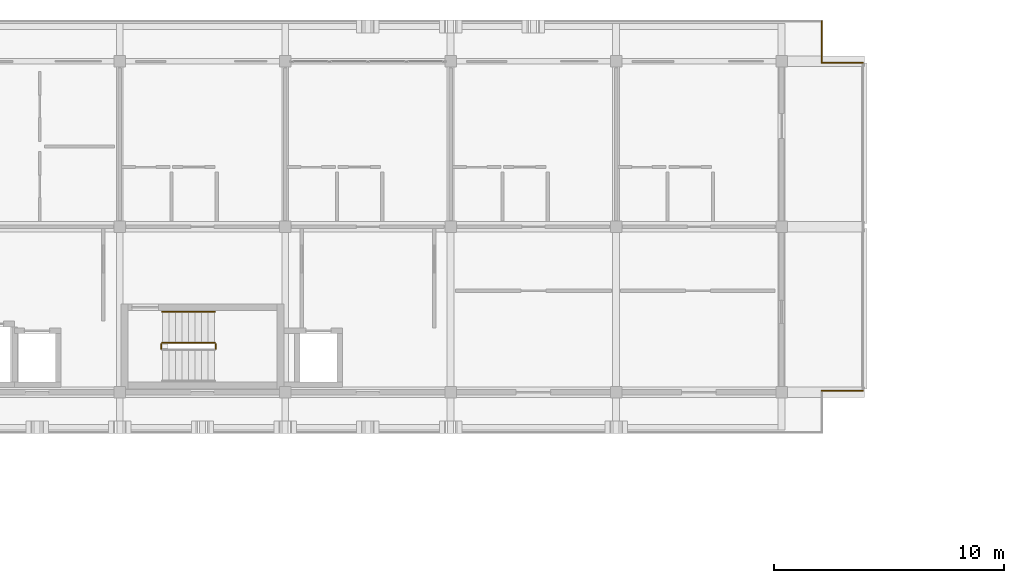
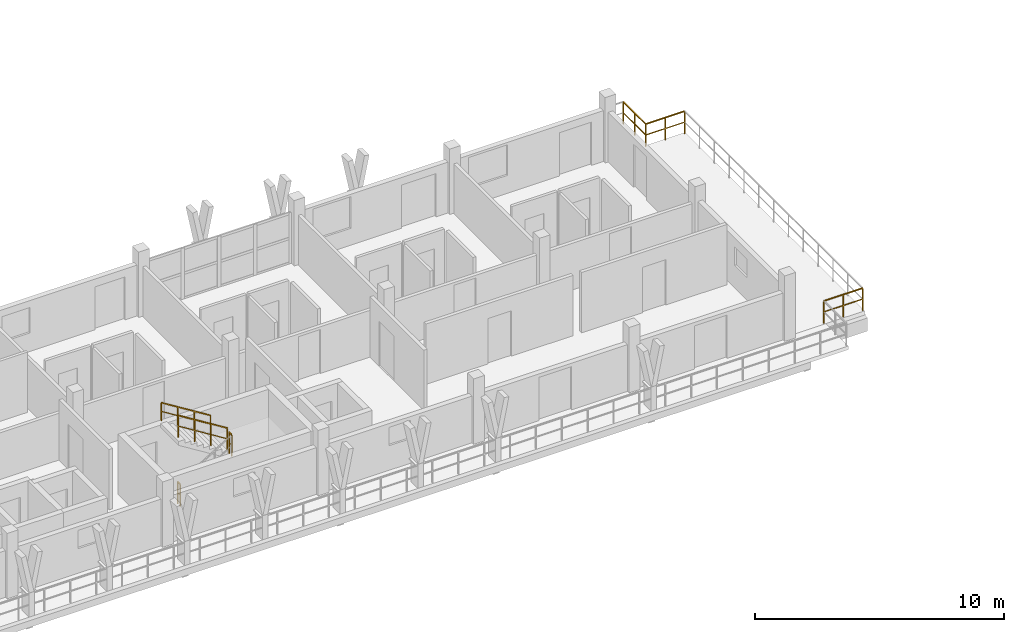
# One storey, part 30 of 32: 7 railings.
"""IFC4 building model written with IfcOpenShell, lengths in metres."""

from ifc_helpers import new_model, si_unit, direction, frame, origin, origin_2d, place, context, subcontext, project, spatial, rectangle, extrude, material, type_object, element, save


model = new_model("IFC4")

# Units and contexts
model_context = context("Model", 3, precision=1e-05, world=origin(), true_north=direction((0.0, 1.0)))
body_context = subcontext(model_context, "Body", "Model", "MODEL_VIEW")
ifc_project = project(units=[si_unit("LENGTHUNIT", "METRE"), si_unit("AREAUNIT", "SQUARE_METRE"), si_unit("VOLUMEUNIT", "CUBIC_METRE"), si_unit("PLANEANGLEUNIT", "RADIAN"), si_unit("MASSUNIT", "GRAM", prefix="KILO")], contexts=[model_context])

# Site, building, storey
site_placement = place(None, origin())
site = spatial("IfcSite", under=ifc_project, at=site_placement, CompositionType="ELEMENT")
building_placement = place(site_placement, origin())
building = spatial("IfcBuilding", under=site, at=building_placement, Name="Suanplinth Sawtooth Commons", CompositionType="ELEMENT")
storey_placement = place(building_placement, frame((0.0, 0.0, 41.199951171875)))
storey = spatial("IfcBuildingStorey", under=building, at=storey_placement, Name="L12", CompositionType="ELEMENT", Elevation=41.199951171875)

# Railings
ifc_material_1 = material(Name="Powder-coated galvanized steel", Category="steel")
railing_type_1 = type_object("IfcRailingType", Name="GR-01", PredefinedType="BALUSTRADE", material=ifc_material_1)
railing_1_placement = place(storey_placement, frame((88.139892578125, 124.139892578125, 0.0)))
element("IfcRailing", 1, at=railing_1_placement, inside=storey, type_object=railing_type_1, Name="L12 Block A Perimeter Balustrade 6", PredefinedType="BALUSTRADE", context=body_context, shape_type="SweptSolid", body=[
    extrude(rectangle(XDim=0.048095703125, YDim=0.048095703125, at=origin_2d()), frame((0.0, 0.0, 1.09619140625), z_axis=(0.0, -1.0, 0.0), x_axis=(1.0, 0.0, 0.0)), (0.0, 0.0, 1.0), 1.7998046875),
    extrude(rectangle(XDim=0.03369140625, YDim=0.03369140625, at=origin_2d()), frame((0.0, 0.0, 0.56005859375), z_axis=(0.0, -1.0, 0.0), x_axis=(1.0, 0.0, 0.0)), (0.0, 0.0, 1.0), 1.7998046875),
    extrude(rectangle(XDim=0.0419921875, YDim=0.0419921875, at=origin_2d()), origin(), (0.0, 0.0, 1.0), 1.072021484375),
    extrude(rectangle(XDim=0.0419921875, YDim=0.0419921875, at=origin_2d()), frame((0.0, -0.89990234375, 0.0)), (0.0, 0.0, 1.0), 1.072021484375),
    extrude(rectangle(XDim=0.0419921875, YDim=0.0419921875, at=origin_2d()), frame((0.0, -1.7998046875, 0.0)), (0.0, 0.0, 1.0), 1.072021484375),
])
railing_2_placement = place(storey_placement, frame((88.139892578125, 122.340087890625, 0.0)))
element("IfcRailing", 2, at=railing_2_placement, inside=storey, type_object=railing_type_1, Name="L12 Block A Perimeter Balustrade 7", PredefinedType="BALUSTRADE", context=body_context, shape_type="SweptSolid", body=[
    extrude(rectangle(XDim=0.048095703125, YDim=0.048095703125, at=origin_2d()), frame((0.0, 0.0, 1.09619140625), z_axis=(1.0, 0.0, 0.0), x_axis=(0.0, 1.0, 0.0)), (0.0, 0.0, 1.0), 1.800048828125),
    extrude(rectangle(XDim=0.03369140625, YDim=0.03369140625, at=origin_2d()), frame((0.0, 0.0, 0.56005859375), z_axis=(1.0, 0.0, 0.0), x_axis=(0.0, 1.0, 0.0)), (0.0, 0.0, 1.0), 1.800048828125),
    extrude(rectangle(XDim=0.0419921875, YDim=0.0419921875, at=origin_2d()), origin(), (0.0, 0.0, 1.0), 1.072021484375),
    extrude(rectangle(XDim=0.0419921875, YDim=0.0419921875, at=origin_2d()), frame((0.89990234375, 0.0, 0.0)), (0.0, 0.0, 1.0), 1.072021484375),
    extrude(rectangle(XDim=0.0419921875, YDim=0.0419921875, at=origin_2d()), frame((1.800048828125, 0.0, 0.0)), (0.0, 0.0, 1.0), 1.072021484375),
])
railing_3_placement = place(storey_placement, frame((89.93994140625, 108.06005859375, 0.0)))
element("IfcRailing", 3, at=railing_3_placement, inside=storey, type_object=railing_type_1, Name="L12 Block A Perimeter Balustrade 9", PredefinedType="BALUSTRADE", context=body_context, shape_type="SweptSolid", body=[
    extrude(rectangle(XDim=0.048095703125, YDim=0.048095703125, at=origin_2d()), frame((0.0, 0.0, 1.09619140625), z_axis=(-1.0, 0.0, 0.0), x_axis=(0.0, -1.0, 0.0)), (0.0, 0.0, 1.0), 1.800048828125),
    extrude(rectangle(XDim=0.03369140625, YDim=0.03369140625, at=origin_2d()), frame((0.0, 0.0, 0.56005859375), z_axis=(-1.0, 0.0, 0.0), x_axis=(0.0, -1.0, 0.0)), (0.0, 0.0, 1.0), 1.800048828125),
    extrude(rectangle(XDim=0.0419921875, YDim=0.0419921875, at=origin_2d()), origin(), (0.0, 0.0, 1.0), 1.072021484375),
    extrude(rectangle(XDim=0.0419921875, YDim=0.0419921875, at=origin_2d()), frame((-0.89990234375, 0.0, 0.0)), (0.0, 0.0, 1.0), 1.072021484375),
    extrude(rectangle(XDim=0.0419921875, YDim=0.0419921875, at=origin_2d()), frame((-1.800048828125, 0.0, 0.0)), (0.0, 0.0, 1.0), 1.072021484375),
])
ifc_material_2 = material(Name="Stainless steel Grade 304", Category="steel")
railing_type_2 = type_object("IfcRailingType", Name="GR-04", PredefinedType="GUARDRAIL", material=ifc_material_2)
railing_4_placement = place(storey_placement, frame((61.780029296875, 109.89990234375, 1.60009765625)))
element("IfcRailing", 4, at=railing_4_placement, inside=storey, type_object=railing_type_2, Name="L12 ST-N2 Guard 2", PredefinedType="GUARDRAIL", context=body_context, shape_type="SweptSolid", body=[
    extrude(rectangle(XDim=0.048095703125, YDim=0.048095703125, at=origin_2d()), frame((0.0, 0.0, 1.076171875), z_axis=(0.0, 1.0, 0.0), x_axis=(-1.0, 0.0, 0.0)), (0.0, 0.0, 1.0), 0.2001953125),
    extrude(rectangle(XDim=0.03369140625, YDim=0.03369140625, at=origin_2d()), frame((0.0, 0.0, 0.550048828125), z_axis=(0.0, 1.0, 0.0), x_axis=(-1.0, 0.0, 0.0)), (0.0, 0.0, 1.0), 0.2001953125),
    extrude(rectangle(XDim=0.0419921875, YDim=0.0419921875, at=origin_2d()), origin(), (0.0, 0.0, 1.0), 1.052001953125),
    extrude(rectangle(XDim=0.0419921875, YDim=0.0419921875, at=origin_2d()), frame((0.0, 0.2001953125, 0.0)), (0.0, 0.0, 1.0), 1.052001953125),
])
railing_5_placement = place(storey_placement, frame((61.72998046875, 110.14990234375, 1.77783203125)))
element("IfcRailing", 5, at=railing_5_placement, inside=storey, type_object=railing_type_2, Name="L12 ST-N2 Guard 3", PredefinedType="GUARDRAIL", context=body_context, shape_type="SweptSolid", body=[
    extrude(rectangle(XDim=0.048095703125, YDim=0.048095703125, at=origin_2d()), frame((0.0, 0.0, 1.076171875), z_axis=(-0.848482842525, 0.0, 0.529222888715), x_axis=(0.0, -1.0, 0.0)), (0.0, 0.0, 1.0), 2.687255859375),
    extrude(rectangle(XDim=0.03369140625, YDim=0.03369140625, at=origin_2d()), frame((0.0, 0.0, 0.550048828125), z_axis=(-0.848482842525, 0.0, 0.529222888715), x_axis=(0.0, -1.0, 0.0)), (0.0, 0.0, 1.0), 2.687255859375),
    extrude(rectangle(XDim=0.0419921875, YDim=0.0419921875, at=origin_2d()), origin(), (0.0, 0.0, 1.0), 1.052001953125),
    extrude(rectangle(XDim=0.0419921875, YDim=0.0419921875, at=origin_2d()), frame((-0.760009765625, 0.0, 0.47412109375)), (0.0, 0.0, 1.0), 1.052001953125),
    extrude(rectangle(XDim=0.0419921875, YDim=0.0419921875, at=origin_2d()), frame((-1.52001953125, 0.0, 0.947998046875)), (0.0, 0.0, 1.0), 1.052001953125),
    extrude(rectangle(XDim=0.0419921875, YDim=0.0419921875, at=origin_2d()), frame((-2.280029296875, 0.0, 1.422119140625)), (0.0, 0.0, 1.0), 1.052001953125),
])
railing_6_placement = place(storey_placement, frame((59.39990234375, 109.89990234375, 0.0)))
element("IfcRailing", 6, at=railing_6_placement, inside=storey, type_object=railing_type_2, Name="L12 ST-N2 Guard 4", PredefinedType="GUARDRAIL", context=body_context, shape_type="SweptSolid", body=[
    extrude(rectangle(XDim=0.048095703125, YDim=0.048095703125, at=origin_2d()), frame((0.0, 0.0, 1.076171875), z_axis=(0.0, 1.0, 0.0), x_axis=(-1.0, 0.0, 0.0)), (0.0, 0.0, 1.0), 0.2001953125),
    extrude(rectangle(XDim=0.03369140625, YDim=0.03369140625, at=origin_2d()), frame((0.0, 0.0, 0.550048828125), z_axis=(0.0, 1.0, 0.0), x_axis=(-1.0, 0.0, 0.0)), (0.0, 0.0, 1.0), 0.2001953125),
    extrude(rectangle(XDim=0.0419921875, YDim=0.0419921875, at=origin_2d()), origin(), (0.0, 0.0, 1.0), 1.052001953125),
    extrude(rectangle(XDim=0.0419921875, YDim=0.0419921875, at=origin_2d()), frame((0.0, 0.2001953125, 0.0)), (0.0, 0.0, 1.0), 1.052001953125),
])
railing_type_3 = type_object("IfcRailingType", Name="HR-01", PredefinedType="HANDRAIL", material=ifc_material_2)
railing_7_placement = place(storey_placement, frame((61.72998046875, 111.5, 1.77783203125)))
element("IfcRailing", 7, at=railing_7_placement, inside=storey, type_object=railing_type_3, Name="L12 ST-N2 Handrail 2", PredefinedType="HANDRAIL", context=body_context, shape_type="SweptSolid", body=[
    extrude(rectangle(XDim=0.048095703125, YDim=0.048095703125, at=origin_2d()), frame((0.0, 0.0, 0.8759765625), z_axis=(-0.848482842525, 0.0, 0.529222888715), x_axis=(0.0, -1.0, 0.0)), (0.0, 0.0, 1.0), 2.687255859375),
    extrude(rectangle(XDim=0.03369140625, YDim=0.03369140625, at=origin_2d()), frame((0.0, 0.0, 0.449951171875), z_axis=(-0.848482842525, 0.0, 0.529222888715), x_axis=(0.0, -1.0, 0.0)), (0.0, 0.0, 1.0), 2.687255859375),
    extrude(rectangle(XDim=0.0419921875, YDim=0.0419921875, at=origin_2d()), origin(), (0.0, 0.0, 1.0), 0.851806640625),
    extrude(rectangle(XDim=0.0419921875, YDim=0.0419921875, at=origin_2d()), frame((-0.760009765625, 0.0, 0.47412109375)), (0.0, 0.0, 1.0), 0.851806640625),
    extrude(rectangle(XDim=0.0419921875, YDim=0.0419921875, at=origin_2d()), frame((-1.52001953125, 0.0, 0.947998046875)), (0.0, 0.0, 1.0), 0.851806640625),
    extrude(rectangle(XDim=0.0419921875, YDim=0.0419921875, at=origin_2d()), frame((-2.280029296875, 0.0, 1.422119140625)), (0.0, 0.0, 1.0), 0.851806640625),
])

save(model, "model.ifc")
